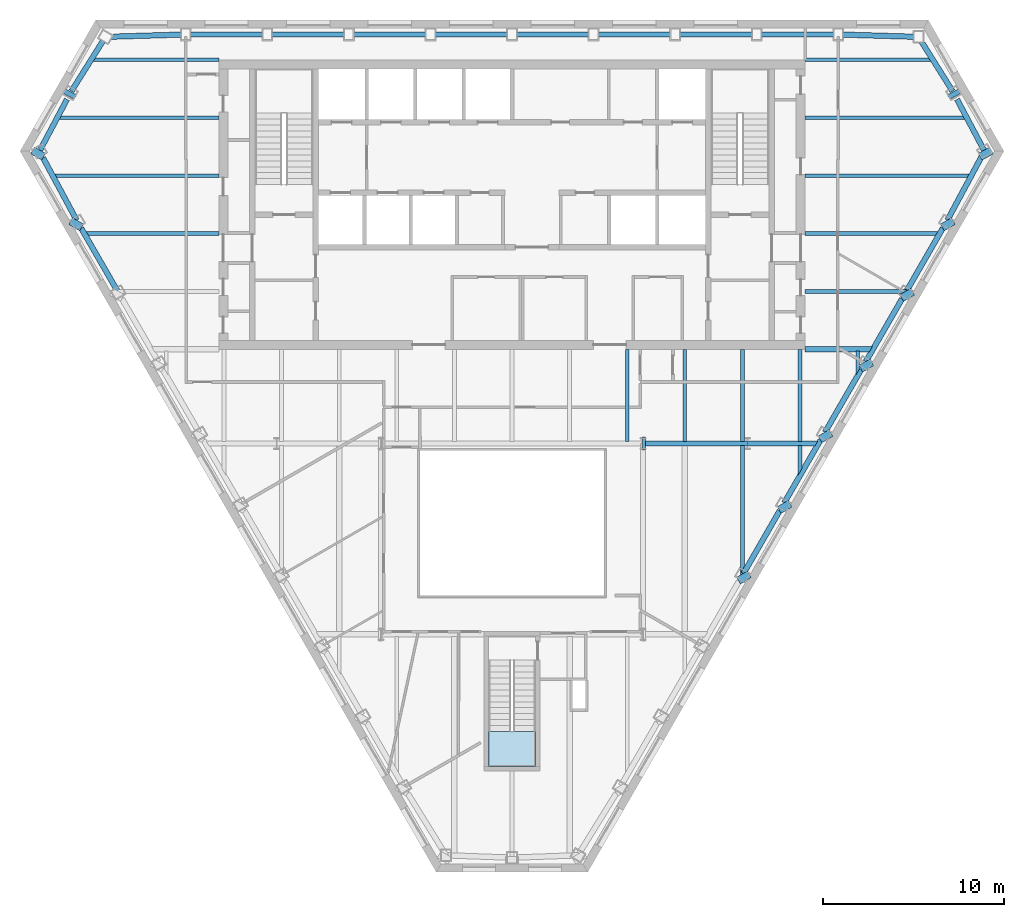
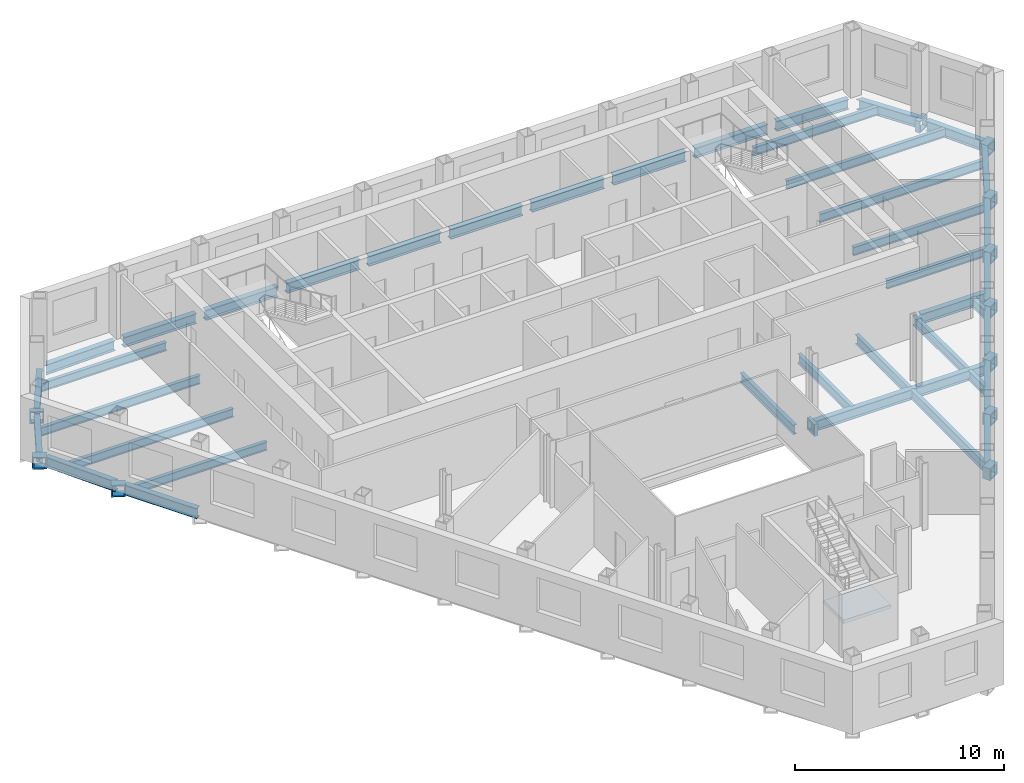
# One storey, part 3 of 11: 53 beams, 1 slab, 1 element without a shape of its own.
"""IFC4 building model written with IfcOpenShell, lengths in metres."""

from ifc_helpers import new_model, si_unit, direction, frame, origin, origin_2d, place, context, subcontext, project, spatial, polyline, hollow_rectangle, i_section, outline, extrude, clip, halfspace, material, layer, layer_set, material_profile, profile_set, type_object, element, aggregate, save


model = new_model("IFC4")

# Units and contexts
model_context = context("Model", 3, precision=1e-05, world=origin(), true_north=direction((0.0, 1.0)))
body_context = subcontext(model_context, "Body", "Model", "MODEL_VIEW")
ifc_project = project(units=[si_unit("LENGTHUNIT", "METRE"), si_unit("AREAUNIT", "SQUARE_METRE"), si_unit("VOLUMEUNIT", "CUBIC_METRE"), si_unit("PLANEANGLEUNIT", "RADIAN"), si_unit("MASSUNIT", "GRAM", prefix="KILO")], contexts=[model_context])

# Site, building, storey
site_placement = place(None, origin())
site = spatial("IfcSite", under=ifc_project, at=site_placement, CompositionType="ELEMENT")
building_placement = place(site_placement, origin())
building = spatial("IfcBuilding", under=site, at=building_placement, Name="Njiva Tower", CompositionType="ELEMENT")
storey_placement = place(building_placement, frame((0.0, 0.0, 163.2)))
storey = spatial("IfcBuildingStorey", under=building, at=storey_placement, Name="L35", CompositionType="ELEMENT", Elevation=163.2)

# Beams
ifc_material_1 = material(Name="Steel S355 J2", Category="steel")
ifc_material_profile_1 = material_profile(ifc_material_1, hollow_rectangle(XDim=0.7, YDim=0.7, WallThickness=0.08, at=origin_2d()), Name="BOX 700x700x80")
ifc_profile_set_1 = profile_set([ifc_material_profile_1], Name="Steel S355 J2")
beam_type_1 = type_object("IfcBeamType", Name="B19 Column jog beam BOX 700x700x80", PredefinedType="BEAM", material=ifc_profile_set_1)
beam_1_placement = place(storey_placement, frame((-24.5, 15.988, -0.55), z_axis=(0.469065911698, 0.883163161869, 0.0), x_axis=(-0.883163161869, 0.469065911698, 0.0)))
element("IfcBeam", 1, at=beam_1_placement, inside=storey, type_object=beam_type_1, Name="Column jog beam S12-B022", PredefinedType="BEAM", context=body_context, shape_type="SweptSolid", body=[
    extrude(hollow_rectangle(XDim=0.7, YDim=0.7, WallThickness=0.08, at=origin_2d()), origin(), (0.0, 0.0, 1.0), 0.2729),
])
beam_2_placement = place(storey_placement, frame((-26.287, 12.631, -0.55), z_axis=(0.488031691324, 0.872825909482, 0.0), x_axis=(-0.872825909482, 0.488031691324, 0.0)))
element("IfcBeam", 2, at=beam_2_placement, inside=storey, type_object=beam_type_1, Name="Column jog beam S12-B021", PredefinedType="BEAM", context=body_context, shape_type="SweptSolid", body=[
    extrude(hollow_rectangle(XDim=0.7, YDim=0.7, WallThickness=0.08, at=origin_2d()), origin(), (0.0, 0.0, 1.0), 0.4262),
])
beam_3_placement = place(storey_placement, frame((-24.187, 8.728, -0.55), z_axis=(0.489816096979, 0.871825780268, 0.0), x_axis=(-0.871825780268, 0.489816096979, 0.0)))
element("IfcBeam", 3, at=beam_3_placement, inside=storey, type_object=beam_type_1, Name="Column jog beam S12-B023", PredefinedType="BEAM", context=body_context, shape_type="SweptSolid", body=[
    extrude(hollow_rectangle(XDim=0.7, YDim=0.7, WallThickness=0.08, at=origin_2d()), origin(), (0.0, 0.0, 1.0), 0.4267),
])
beam_4_placement = place(storey_placement, frame((12.921, -10.786, -0.55), z_axis=(-0.501964949025, 0.864887963814, 0.0), x_axis=(-0.864887963814, -0.501964949025, 0.0)))
element("IfcBeam", 4, at=beam_4_placement, inside=storey, type_object=beam_type_1, Name="Column jog beam S12-B042", PredefinedType="BEAM", context=body_context, shape_type="SweptSolid", body=[
    extrude(hollow_rectangle(XDim=0.7, YDim=0.7, WallThickness=0.08, at=origin_2d()), origin(), (0.0, 0.0, 1.0), 0.4243),
])
beam_5_placement = place(storey_placement, frame((15.175, -6.883, -0.55), z_axis=(-0.500943559977, 0.865479953388, 0.0), x_axis=(-0.865479953388, -0.500943559977, 0.0)))
element("IfcBeam", 5, at=beam_5_placement, inside=storey, type_object=beam_type_1, Name="Column jog beam S12-B043", PredefinedType="BEAM", context=body_context, shape_type="SweptSolid", body=[
    extrude(hollow_rectangle(XDim=0.7, YDim=0.7, WallThickness=0.08, at=origin_2d()), origin(), (0.0, 0.0, 1.0), 0.4252),
])
beam_6_placement = place(storey_placement, frame((17.428, -2.981, -0.55), z_axis=(-0.498162050838, 0.867083946977, 0.0), x_axis=(-0.867083946977, -0.498162050838, 0.0)))
element("IfcBeam", 6, at=beam_6_placement, inside=storey, type_object=beam_type_1, Name="Column jog beam S12-B044", PredefinedType="BEAM", context=body_context, shape_type="SweptSolid", body=[
    extrude(hollow_rectangle(XDim=0.7, YDim=0.7, WallThickness=0.08, at=origin_2d()), origin(), (0.0, 0.0, 1.0), 0.4256),
])
beam_7_placement = place(storey_placement, frame((19.681, 0.922, -0.55), z_axis=(-0.495380237546, 0.868676245933, 0.0), x_axis=(-0.868676245933, -0.495380237546, 0.0)))
element("IfcBeam", 7, at=beam_7_placement, inside=storey, type_object=beam_type_1, Name="Column jog beam S12-B045", PredefinedType="BEAM", context=body_context, shape_type="SweptSolid", body=[
    extrude(hollow_rectangle(XDim=0.7, YDim=0.7, WallThickness=0.08, at=origin_2d()), origin(), (0.0, 0.0, 1.0), 0.4259),
])
beam_8_placement = place(storey_placement, frame((21.935, 4.825, -0.55), z_axis=(-0.49437165503, 0.869250635147, 0.0), x_axis=(-0.869250635147, -0.49437165503, 0.0)))
element("IfcBeam", 8, at=beam_8_placement, inside=storey, type_object=beam_type_1, Name="Column jog beam S12-B046", PredefinedType="BEAM", context=body_context, shape_type="SweptSolid", body=[
    extrude(hollow_rectangle(XDim=0.7, YDim=0.7, WallThickness=0.08, at=origin_2d()), origin(), (0.0, 0.0, 1.0), 0.4268),
])
beam_9_placement = place(storey_placement, frame((24.187, 8.728, -0.55), z_axis=(-0.489816096979, 0.871825780268, 0.0), x_axis=(-0.871825780268, -0.489816096979, 0.0)))
element("IfcBeam", 9, at=beam_9_placement, inside=storey, type_object=beam_type_1, Name="Column jog beam S12-B047", PredefinedType="BEAM", context=body_context, shape_type="SweptSolid", body=[
    extrude(hollow_rectangle(XDim=0.7, YDim=0.7, WallThickness=0.08, at=origin_2d()), origin(), (0.0, 0.0, 1.0), 0.4267),
])
beam_10_placement = place(storey_placement, frame((26.287, 12.631, -0.55), z_axis=(-0.488031691324, 0.872825909482, 0.0), x_axis=(-0.872825909482, -0.488031691324, 0.0)))
element("IfcBeam", 10, at=beam_10_placement, inside=storey, type_object=beam_type_1, Name="Column jog beam S12-B049", PredefinedType="BEAM", context=body_context, shape_type="SweptSolid", body=[
    extrude(hollow_rectangle(XDim=0.7, YDim=0.7, WallThickness=0.08, at=origin_2d()), origin(), (0.0, 0.0, 1.0), 0.4262),
])
beam_11_placement = place(storey_placement, frame((24.5, 15.988, -0.55), z_axis=(-0.469065911698, 0.883163161869, 0.0), x_axis=(-0.883163161869, -0.469065911698, 0.0)))
element("IfcBeam", 11, at=beam_11_placement, inside=storey, type_object=beam_type_1, Name="Column jog beam S12-B048", PredefinedType="BEAM", context=body_context, shape_type="SweptSolid", body=[
    extrude(hollow_rectangle(XDim=0.7, YDim=0.7, WallThickness=0.08, at=origin_2d()), origin(), (0.0, 0.0, 1.0), 0.2729),
])
beam_12_placement = place(storey_placement, frame((7.38, -3.2, -0.55), z_axis=(-1.0, 0.0, 0.0), x_axis=(0.0, -1.0, 0.0)))
element("IfcBeam", 12, at=beam_12_placement, inside=storey, type_object=beam_type_1, Name="Column jog beam S12-B039", PredefinedType="BEAM", context=body_context, shape_type="SweptSolid", body=[
    extrude(hollow_rectangle(XDim=0.7, YDim=0.7, WallThickness=0.08, at=origin_2d()), origin(), (0.0, 0.0, 1.0), 0.2),
])
ifc_material_profile_2 = material_profile(ifc_material_1, i_section(OverallWidth=0.2, OverallDepth=0.5, WebThickness=0.0102, FlangeThickness=0.016, at=origin_2d()), Name="IPE 500")
ifc_profile_set_2 = profile_set([ifc_material_profile_2], Name="Steel S355 J2")
beam_type_2 = type_object("IfcBeamType", Name="B24 Floor beam to the core IPE 500", PredefinedType="BEAM", material=ifc_profile_set_2)
beam_13_placement = place(storey_placement, frame((16.2, 5.2, -0.45), z_axis=(1.0, 0.0, 0.0), x_axis=(0.0, 1.0, 0.0)))
element("IfcBeam", 13, at=beam_13_placement, inside=storey, type_object=beam_type_2, Name="Floor beam to the core S12-B008", PredefinedType="BEAM", context=body_context, shape_type="Clipping", body=[
    clip(extrude(i_section(OverallWidth=0.2, OverallDepth=0.5, WebThickness=0.0102, FlangeThickness=0.016, at=origin_2d()), origin(), (0.0, 0.0, 1.0), 5.623), halfspace(frame((-0.025, 0.0, 5.5306), z_axis=(-0.499998009787, 0.0, 0.866026552831), x_axis=(0.0, 1.0, 0.0)), False)),
])
beam_14_placement = place(storey_placement, frame((-23.596, 8.4, -0.45), z_axis=(1.0, 0.0, 0.0), x_axis=(0.0, 1.0, 0.0)))
element("IfcBeam", 14, at=beam_14_placement, inside=storey, type_object=beam_type_2, Name="Floor beam to the core S12-B003", PredefinedType="BEAM", context=body_context, shape_type="Clipping", body=[
    clip(extrude(i_section(OverallWidth=0.2, OverallDepth=0.5, WebThickness=0.0102, FlangeThickness=0.016, at=origin_2d()), origin(), (0.0, 0.0, 1.0), 7.396), halfspace(frame((-0.025, 0.0, 0.0924), z_axis=(-0.499998009787, 0.0, -0.866026552831), x_axis=(0.0, -1.0, 0.0)), False)),
])
beam_15_placement = place(storey_placement, frame((16.2, 8.4, -0.45), z_axis=(1.0, 0.0, 0.0), x_axis=(0.0, 1.0, 0.0)))
element("IfcBeam", 15, at=beam_15_placement, inside=storey, type_object=beam_type_2, Name="Floor beam to the core S12-B009", PredefinedType="BEAM", context=body_context, shape_type="Clipping", body=[
    clip(extrude(i_section(OverallWidth=0.2, OverallDepth=0.5, WebThickness=0.0102, FlangeThickness=0.016, at=origin_2d()), origin(), (0.0, 0.0, 1.0), 7.396), halfspace(frame((-0.025, 0.0, 7.3036), z_axis=(-0.499998009787, 0.0, 0.866026552831), x_axis=(0.0, 1.0, 0.0)), False)),
])
beam_16_placement = place(storey_placement, frame((-25.341, 11.6, -0.45), z_axis=(1.0, 0.0, 0.0), x_axis=(0.0, 1.0, 0.0)))
element("IfcBeam", 16, at=beam_16_placement, inside=storey, type_object=beam_type_2, Name="Floor beam to the core S12-B001", PredefinedType="BEAM", context=body_context, shape_type="Clipping", body=[
    clip(extrude(i_section(OverallWidth=0.2, OverallDepth=0.5, WebThickness=0.0102, FlangeThickness=0.016, at=origin_2d()), origin(), (0.0, 0.0, 1.0), 9.141), halfspace(frame((-0.0237, 0.0, 0.0868), z_axis=(-0.473769423091, 0.0, -0.880648927634), x_axis=(0.0, -1.0, 0.0)), False)),
])
beam_17_placement = place(storey_placement, frame((16.2, 11.6, -0.45), z_axis=(1.0, 0.0, 0.0), x_axis=(0.0, 1.0, 0.0)))
element("IfcBeam", 17, at=beam_17_placement, inside=storey, type_object=beam_type_2, Name="Floor beam to the core S12-B010", PredefinedType="BEAM", context=body_context, shape_type="Clipping", body=[
    clip(extrude(i_section(OverallWidth=0.2, OverallDepth=0.5, WebThickness=0.0102, FlangeThickness=0.016, at=origin_2d()), origin(), (0.0, 0.0, 1.0), 9.141), halfspace(frame((-0.0237, 0.0, 9.0542), z_axis=(-0.473769423091, 0.0, 0.880648927634), x_axis=(0.0, 1.0, 0.0)), False)),
])
beam_18_placement = place(storey_placement, frame((-25.088, 14.8, -0.45), z_axis=(1.0, 0.0, 0.0), x_axis=(0.0, 1.0, 0.0)))
element("IfcBeam", 18, at=beam_18_placement, inside=storey, type_object=beam_type_2, Name="Floor beam to the core S12-B002", PredefinedType="BEAM", context=body_context, shape_type="Clipping", body=[
    clip(extrude(i_section(OverallWidth=0.2, OverallDepth=0.5, WebThickness=0.0102, FlangeThickness=0.016, at=origin_2d()), origin(), (0.0, 0.0, 1.0), 8.888), halfspace(frame((0.0234, 0.0, 0.0852), z_axis=(0.468070575493, 0.0, -0.883691086499), x_axis=(0.0, -1.0, 0.0)), False)),
])
beam_19_placement = place(storey_placement, frame((16.2, 14.8, -0.45), z_axis=(1.0, 0.0, 0.0), x_axis=(0.0, 1.0, 0.0)))
element("IfcBeam", 19, at=beam_19_placement, inside=storey, type_object=beam_type_2, Name="Floor beam to the core S12-B011", PredefinedType="BEAM", context=body_context, shape_type="Clipping", body=[
    clip(extrude(i_section(OverallWidth=0.2, OverallDepth=0.5, WebThickness=0.0102, FlangeThickness=0.016, at=origin_2d()), origin(), (0.0, 0.0, 1.0), 8.888), halfspace(frame((0.0234, 0.0, 8.8028), z_axis=(0.468070575493, 0.0, 0.883691086499), x_axis=(0.0, 1.0, 0.0)), False)),
])
beam_20_placement = place(storey_placement, frame((-23.221, 18.0, -0.45), z_axis=(1.0, 0.0, 0.0), x_axis=(0.0, 1.0, 0.0)))
element("IfcBeam", 20, at=beam_20_placement, inside=storey, type_object=beam_type_2, Name="Floor beam to the core S12-B004", PredefinedType="BEAM", context=body_context, shape_type="Clipping", body=[
    clip(extrude(i_section(OverallWidth=0.2, OverallDepth=0.5, WebThickness=0.0102, FlangeThickness=0.016, at=origin_2d()), origin(), (0.0, 0.0, 1.0), 7.021), halfspace(frame((0.0266, 0.0, 0.1), z_axis=(0.531259476258, 0.0, -0.847209164779), x_axis=(0.0, -1.0, 0.0)), False)),
])
beam_21_placement = place(storey_placement, frame((16.2, 18.0, -0.45), z_axis=(1.0, 0.0, 0.0), x_axis=(0.0, 1.0, 0.0)))
element("IfcBeam", 21, at=beam_21_placement, inside=storey, type_object=beam_type_2, Name="Floor beam to the core S12-B012", PredefinedType="BEAM", context=body_context, shape_type="Clipping", body=[
    clip(extrude(i_section(OverallWidth=0.2, OverallDepth=0.5, WebThickness=0.0102, FlangeThickness=0.016, at=origin_2d()), origin(), (0.0, 0.0, 1.0), 7.021), halfspace(frame((0.0266, 0.0, 6.921), z_axis=(0.531259476258, 0.0, 0.847209164779), x_axis=(0.0, 1.0, 0.0)), False)),
])
ifc_material_profile_3 = material_profile(ifc_material_1, i_section(OverallWidth=0.3, OverallDepth=0.59, WebThickness=0.013, FlangeThickness=0.025, at=origin_2d()), Name="HEA 600")
ifc_profile_set_3 = profile_set([ifc_material_profile_3], Name="Steel S355 J2")
beam_type_3 = type_object("IfcBeamType", Name="B27 Short-span spandrel beam HEA 600", PredefinedType="SPANDREL", material=ifc_profile_set_3)
beam_22_placement = place(storey_placement, frame((22.202, 19.275, -0.495), z_axis=(-0.999547702573, 0.030073082331, 0.0), x_axis=(-0.030073082331, -0.999547702573, 0.0)))
element("IfcBeam", 22, at=beam_22_placement, inside=storey, type_object=beam_type_3, Name="Short-span spandrel beam S12-B139", PredefinedType="SPANDREL", context=body_context, shape_type="SweptSolid", body=[
    extrude(i_section(OverallWidth=0.3, OverallDepth=0.59, WebThickness=0.013, FlangeThickness=0.025, at=origin_2d()), origin(), (0.0, 0.0, 1.0), 3.9238),
])
beam_23_placement = place(storey_placement, frame((17.776, 19.4, -0.495), z_axis=(-1.0, 0.0, 0.0), x_axis=(0.0, -1.0, 0.0)))
element("IfcBeam", 23, at=beam_23_placement, inside=storey, type_object=beam_type_3, Name="Short-span spandrel beam S12-B134", PredefinedType="SPANDREL", context=body_context, shape_type="SweptSolid", body=[
    extrude(i_section(OverallWidth=0.3, OverallDepth=0.59, WebThickness=0.013, FlangeThickness=0.025, at=origin_2d()), origin(), (0.0, 0.0, 1.0), 4.006),
])
beam_24_placement = place(storey_placement, frame((13.27, 19.4, -0.495), z_axis=(-1.0, 0.0, 0.0), x_axis=(0.0, -1.0, 0.0)))
element("IfcBeam", 24, at=beam_24_placement, inside=storey, type_object=beam_type_3, Name="Short-span spandrel beam S12-B129", PredefinedType="SPANDREL", context=body_context, shape_type="SweptSolid", body=[
    extrude(i_section(OverallWidth=0.3, OverallDepth=0.59, WebThickness=0.013, FlangeThickness=0.025, at=origin_2d()), origin(), (0.0, 0.0, 1.0), 4.007),
])
beam_25_placement = place(storey_placement, frame((8.763, 19.4, -0.495), z_axis=(-1.0, 0.0, 0.0), x_axis=(0.0, -1.0, 0.0)))
element("IfcBeam", 25, at=beam_25_placement, inside=storey, type_object=beam_type_3, Name="Short-span spandrel beam S12-B123", PredefinedType="SPANDREL", context=body_context, shape_type="SweptSolid", body=[
    extrude(i_section(OverallWidth=0.3, OverallDepth=0.59, WebThickness=0.013, FlangeThickness=0.025, at=origin_2d()), origin(), (0.0, 0.0, 1.0), 4.006),
])
for number, where, z_axis, x_axis, name in (
    (26, (4.257, 19.4, -0.495), (-1.0, 0.0, 0.0), (0.0, -1.0, 0.0), "Short-span spandrel beam S12-B120"),
    (27, (-0.25, 19.4, -0.495), (-1.0, 0.0, 0.0), (0.0, -1.0, 0.0), "Short-span spandrel beam S12-B115"),
):
    element("IfcBeam", number, at=place(storey_placement, frame(where, z_axis=z_axis, x_axis=x_axis)), inside=storey, type_object=beam_type_3, Name=name, PredefinedType="SPANDREL", context=body_context, shape_type="SweptSolid", body=[
        extrude(i_section(OverallWidth=0.3, OverallDepth=0.59, WebThickness=0.013, FlangeThickness=0.025, at=origin_2d()), origin(), (0.0, 0.0, 1.0), 4.007),
    ])
beam_26_placement = place(storey_placement, frame((-4.757, 19.4, -0.495), z_axis=(-1.0, 0.0, 0.0), x_axis=(0.0, -1.0, 0.0)))
element("IfcBeam", 28, at=beam_26_placement, inside=storey, type_object=beam_type_3, Name="Short-span spandrel beam S12-B110", PredefinedType="SPANDREL", context=body_context, shape_type="SweptSolid", body=[
    extrude(i_section(OverallWidth=0.3, OverallDepth=0.59, WebThickness=0.013, FlangeThickness=0.025, at=origin_2d()), origin(), (0.0, 0.0, 1.0), 4.006),
])
beam_27_placement = place(storey_placement, frame((-9.263, 19.4, -0.495), z_axis=(-1.0, 0.0, 0.0), x_axis=(0.0, -1.0, 0.0)))
element("IfcBeam", 29, at=beam_27_placement, inside=storey, type_object=beam_type_3, Name="Short-span spandrel beam S12-B104", PredefinedType="SPANDREL", context=body_context, shape_type="SweptSolid", body=[
    extrude(i_section(OverallWidth=0.3, OverallDepth=0.59, WebThickness=0.013, FlangeThickness=0.025, at=origin_2d()), origin(), (0.0, 0.0, 1.0), 4.007),
])
beam_28_placement = place(storey_placement, frame((-13.77, 19.4, -0.495), z_axis=(-1.0, 0.0, 0.0), x_axis=(0.0, -1.0, 0.0)))
element("IfcBeam", 30, at=beam_28_placement, inside=storey, type_object=beam_type_3, Name="Short-span spandrel beam S12-B099", PredefinedType="SPANDREL", context=body_context, shape_type="SweptSolid", body=[
    extrude(i_section(OverallWidth=0.3, OverallDepth=0.59, WebThickness=0.013, FlangeThickness=0.025, at=origin_2d()), origin(), (0.0, 0.0, 1.0), 4.006),
])
beam_29_placement = place(storey_placement, frame((-18.28, 19.393, -0.495), z_axis=(-0.999547870884, -0.030067487615, 0.0), x_axis=(0.030067487615, -0.999547870884, 0.0)))
element("IfcBeam", 31, at=beam_29_placement, inside=storey, type_object=beam_type_3, Name="Short-span spandrel beam S12-B094", PredefinedType="SPANDREL", context=body_context, shape_type="Clipping", body=[
    clip(extrude(i_section(OverallWidth=0.3, OverallDepth=0.59, WebThickness=0.013, FlangeThickness=0.025, at=origin_2d()), origin(), (0.0, 0.0, 1.0), 3.9377), halfspace(frame((-0.0259, 0.0, 3.8089), z_axis=(-0.52581118878, 0.0, 0.850601313045), x_axis=(0.0, 1.0, 0.0)), False)),
])
beam_30_placement = place(storey_placement, frame((-22.595, 19.053, -0.495), z_axis=(-0.531444099627, -0.847093364968, 0.0), x_axis=(0.847093364968, -0.531444099627, 0.0)))
element("IfcBeam", 32, at=beam_30_placement, inside=storey, type_object=beam_type_3, Name="Short-span spandrel beam S12-B089", PredefinedType="SPANDREL", context=body_context, shape_type="SweptSolid", body=[
    extrude(i_section(OverallWidth=0.3, OverallDepth=0.59, WebThickness=0.013, FlangeThickness=0.025, at=origin_2d()), origin(), (0.0, 0.0, 1.0), 3.2948),
])
beam_31_placement = place(storey_placement, frame((-24.591, 15.815, -0.495), z_axis=(-0.467973896565, -0.883742288302, 0.0), x_axis=(0.883742288302, -0.467973896565, 0.0)))
element("IfcBeam", 33, at=beam_31_placement, inside=storey, type_object=beam_type_3, Name="Short-span spandrel beam S12-B085", PredefinedType="SPANDREL", context=body_context, shape_type="Clipping", body=[
    clip(extrude(i_section(OverallWidth=0.3, OverallDepth=0.59, WebThickness=0.013, FlangeThickness=0.025, at=origin_2d()), origin(), (0.0, 0.0, 1.0), 3.3129), halfspace(frame((-0.0267, 0.0, 3.1818), z_axis=(-0.531358270615, 0.0, 0.847147205773), x_axis=(0.0, 1.0, 0.0)), False)),
])
beam_32_placement = place(storey_placement, frame((-25.913, 12.589, -0.495), z_axis=(0.473811173315, -0.880626465672, 0.0), x_axis=(0.880626465672, 0.473811173315, 0.0)))
element("IfcBeam", 34, at=beam_32_placement, inside=storey, type_object=beam_type_3, Name="Short-span spandrel beam S12-B088", PredefinedType="SPANDREL", context=body_context, shape_type="SweptSolid", body=[
    extrude(i_section(OverallWidth=0.3, OverallDepth=0.59, WebThickness=0.013, FlangeThickness=0.025, at=origin_2d()), origin(), (0.0, 0.0, 1.0), 3.9256),
])
beam_33_placement = place(storey_placement, frame((-23.804, 8.696, -0.495), z_axis=(0.499924104568, -0.866069217599, 0.0), x_axis=(0.866069217599, 0.499924104568, 0.0)))
element("IfcBeam", 35, at=beam_33_placement, inside=storey, type_object=beam_type_3, Name="Short-span spandrel beam S12-B092", PredefinedType="SPANDREL", context=body_context, shape_type="SweptSolid", body=[
    extrude(i_section(OverallWidth=0.3, OverallDepth=0.59, WebThickness=0.013, FlangeThickness=0.025, at=origin_2d()), origin(), (0.0, 0.0, 1.0), 4.0066),
])
beam_34_placement = place(storey_placement, frame((12.788, -10.386, -0.495), z_axis=(0.499816060339, 0.866131575355, 0.0), x_axis=(-0.866131575355, 0.499816060339, 0.0)))
element("IfcBeam", 36, at=beam_34_placement, inside=storey, type_object=beam_type_3, Name="Short-span spandrel beam S12-B132", PredefinedType="SPANDREL", context=body_context, shape_type="SweptSolid", body=[
    extrude(i_section(OverallWidth=0.3, OverallDepth=0.59, WebThickness=0.013, FlangeThickness=0.025, at=origin_2d()), origin(), (0.0, 0.0, 1.0), 4.0075),
])
beam_35_placement = place(storey_placement, frame((15.041, -6.482, -0.495), z_axis=(0.500032187732, 0.866006819391, 0.0), x_axis=(-0.866006819391, 0.500032187732, 0.0)))
element("IfcBeam", 37, at=beam_35_placement, inside=storey, type_object=beam_type_3, Name="Short-span spandrel beam S12-B135", PredefinedType="SPANDREL", context=body_context, shape_type="SweptSolid", body=[
    extrude(i_section(OverallWidth=0.3, OverallDepth=0.59, WebThickness=0.013, FlangeThickness=0.025, at=origin_2d()), origin(), (0.0, 0.0, 1.0), 4.0057),
])
beam_36_placement = place(storey_placement, frame((17.294, -2.58, -0.495), z_axis=(0.499924104568, 0.866069217599, 0.0), x_axis=(-0.866069217599, 0.499924104568, 0.0)))
element("IfcBeam", 38, at=beam_36_placement, inside=storey, type_object=beam_type_3, Name="Short-span spandrel beam S12-B137", PredefinedType="SPANDREL", context=body_context, shape_type="SweptSolid", body=[
    extrude(i_section(OverallWidth=0.3, OverallDepth=0.59, WebThickness=0.013, FlangeThickness=0.025, at=origin_2d()), origin(), (0.0, 0.0, 1.0), 4.0066),
])
beam_37_placement = place(storey_placement, frame((19.547, 1.322, -0.495), z_axis=(0.500003221507, 0.866023543838, 0.0), x_axis=(-0.866023543838, 0.500003221507, 0.0)))
element("IfcBeam", 39, at=beam_37_placement, inside=storey, type_object=beam_type_3, Name="Short-span spandrel beam S12-B141", PredefinedType="SPANDREL", context=body_context, shape_type="SweptSolid", body=[
    extrude(i_section(OverallWidth=0.3, OverallDepth=0.59, WebThickness=0.013, FlangeThickness=0.025, at=origin_2d()), origin(), (0.0, 0.0, 1.0), 4.008),
])
beam_38_placement = place(storey_placement, frame((21.801, 5.226, -0.495), z_axis=(0.499924104568, 0.866069217599, 0.0), x_axis=(-0.866069217599, 0.499924104568, 0.0)))
element("IfcBeam", 40, at=beam_38_placement, inside=storey, type_object=beam_type_3, Name="Short-span spandrel beam S12-B143", PredefinedType="SPANDREL", context=body_context, shape_type="SweptSolid", body=[
    extrude(i_section(OverallWidth=0.3, OverallDepth=0.59, WebThickness=0.013, FlangeThickness=0.025, at=origin_2d()), origin(), (0.0, 0.0, 1.0), 4.0066),
])
beam_39_placement = place(storey_placement, frame((24.053, 9.132, -0.495), z_axis=(0.473650235555, 0.880713037464, 0.0), x_axis=(-0.880713037464, 0.473650235555, 0.0)))
element("IfcBeam", 41, at=beam_39_placement, inside=storey, type_object=beam_type_3, Name="Short-span spandrel beam S12-B147", PredefinedType="SPANDREL", context=body_context, shape_type="Clipping", body=[
    clip(extrude(i_section(OverallWidth=0.3, OverallDepth=0.59, WebThickness=0.013, FlangeThickness=0.025, at=origin_2d()), origin(), (0.0, 0.0, 1.0), 4.0927), halfspace(frame((-0.0266, 0.0, 3.9634), z_axis=(-0.525896700756, 0.0, 0.850548446671), x_axis=(0.0, 1.0, 0.0)), False)),
])
beam_40_placement = place(storey_placement, frame((26.108, 12.951, -0.495), z_axis=(-0.468072006979, 0.883690328272, 0.0), x_axis=(-0.883690328272, -0.468072006979, 0.0)))
element("IfcBeam", 42, at=beam_40_placement, inside=storey, type_object=beam_type_3, Name="Short-span spandrel beam S12-B150", PredefinedType="SPANDREL", context=body_context, shape_type="SweptSolid", body=[
    extrude(i_section(OverallWidth=0.3, OverallDepth=0.59, WebThickness=0.013, FlangeThickness=0.025, at=origin_2d()), origin(), (0.0, 0.0, 1.0), 3.241),
])
beam_41_placement = place(storey_placement, frame((24.346, 16.262, -0.495), z_axis=(-0.531433793828, 0.847099830468, 0.0), x_axis=(-0.847099830468, -0.531433793828, 0.0)))
element("IfcBeam", 43, at=beam_41_placement, inside=storey, type_object=beam_type_3, Name="Short-span spandrel beam S12-B146", PredefinedType="SPANDREL", context=body_context, shape_type="Clipping", body=[
    clip(extrude(i_section(OverallWidth=0.3, OverallDepth=0.59, WebThickness=0.013, FlangeThickness=0.025, at=origin_2d()), origin(), (0.0, 0.0, 1.0), 3.3072), halfspace(frame((-0.0269, 0.0, 3.1764), z_axis=(-0.531433793828, 0.0, 0.847099830468), x_axis=(0.0, 1.0, 0.0)), False)),
])
ifc_material_profile_4 = material_profile(ifc_material_1, i_section(OverallWidth=0.3, OverallDepth=0.59, WebThickness=0.013, FlangeThickness=0.025, at=origin_2d()), Name="HEA 600")
ifc_profile_set_4 = profile_set([ifc_material_profile_4], Name="Steel S355 J2")
beam_type_4 = type_object("IfcBeamType", Name="B28 Floor girder HEA 600", PredefinedType="BEAM", material=ifc_profile_set_4)
beam_42_placement = place(storey_placement, frame((7.24, -3.2, -0.495), z_axis=(1.0, 0.0, 0.0), x_axis=(0.0, 1.0, 0.0)))
element("IfcBeam", 44, at=beam_42_placement, inside=storey, type_object=beam_type_4, Name="Floor girder S12-B018", PredefinedType="BEAM", context=body_context, shape_type="SweptSolid", body=[
    extrude(i_section(OverallWidth=0.3, OverallDepth=0.59, WebThickness=0.013, FlangeThickness=0.025, at=origin_2d()), origin(), (0.0, 0.0, 1.0), 5.76),
])
ifc_material_profile_5 = material_profile(ifc_material_1, i_section(OverallWidth=0.3, OverallDepth=0.59, WebThickness=0.013, FlangeThickness=0.025, at=origin_2d()), Name="HEA 600")
ifc_profile_set_5 = profile_set([ifc_material_profile_5], Name="Steel S355 J2")
beam_type_5 = type_object("IfcBeamType", Name="B29 Short-span floor girder HEA 600", PredefinedType="BEAM", material=ifc_profile_set_5)
beam_43_placement = place(storey_placement, frame((13.0, -3.2, -0.495), z_axis=(1.0, 0.0, 0.0), x_axis=(0.0, 1.0, 0.0)))
element("IfcBeam", 45, at=beam_43_placement, inside=storey, type_object=beam_type_5, Name="Short-span floor girder S12-B019", PredefinedType="BEAM", context=body_context, shape_type="Clipping", body=[
    clip(extrude(i_section(OverallWidth=0.3, OverallDepth=0.59, WebThickness=0.013, FlangeThickness=0.025, at=origin_2d()), origin(), (0.0, 0.0, 1.0), 3.928), halfspace(frame((-0.025, 0.0, 3.8063), z_axis=(-0.499998009787, 0.0, 0.866026552831), x_axis=(0.0, 1.0, 0.0)), False)),
])
beam_44_placement = place(storey_placement, frame((16.2, 2.0, -0.495), z_axis=(1.0, 0.0, 0.0), x_axis=(0.0, 1.0, 0.0)))
element("IfcBeam", 46, at=beam_44_placement, inside=storey, type_object=beam_type_5, Name="Short-span floor girder S12-B020", PredefinedType="BEAM", context=body_context, shape_type="Clipping", body=[
    clip(extrude(i_section(OverallWidth=0.3, OverallDepth=0.59, WebThickness=0.013, FlangeThickness=0.025, at=origin_2d()), origin(), (0.0, 0.0, 1.0), 3.73), halfspace(frame((-0.025, 0.0, 3.6086), z_axis=(-0.499998009787, 0.0, 0.866026552831), x_axis=(0.0, 1.0, 0.0)), False)),
])
ifc_material_profile_6 = material_profile(ifc_material_1, i_section(OverallWidth=0.21, OverallDepth=0.55, WebThickness=0.0111, FlangeThickness=0.0172, at=origin_2d()), Name="IPE 550")
ifc_profile_set_6 = profile_set([ifc_material_profile_6], Name="Steel S355 J2")
beam_type_6 = type_object("IfcBeamType", Name="B31 Short-span floor joist IPE 550", PredefinedType="JOIST", material=ifc_profile_set_6)
beam_45_placement = place(storey_placement, frame((15.917, -3.3, -0.475), z_axis=(0.0, -1.0, 0.0), x_axis=(1.0, 0.0, 0.0)))
element("IfcBeam", 47, at=beam_45_placement, inside=storey, type_object=beam_type_6, Name="Short-span floor joist S12-B076", PredefinedType="JOIST", context=body_context, shape_type="Clipping", body=[
    clip(extrude(i_section(OverallWidth=0.21, OverallDepth=0.55, WebThickness=0.0111, FlangeThickness=0.0172, at=origin_2d()), origin(), (0.0, 0.0, 1.0), 1.668), halfspace(frame((0.043, 0.0, 1.391), z_axis=(0.866026552831, 0.0, 0.499998009787), x_axis=(0.0, 1.0, 0.0)), False)),
])
beam_46_placement = place(storey_placement, frame((19.1, 1.9, -0.475), z_axis=(0.0, -1.0, 0.0), x_axis=(1.0, 0.0, 0.0)))
element("IfcBeam", 48, at=beam_46_placement, inside=storey, type_object=beam_type_6, Name="Short-span floor joist S12-B078", PredefinedType="JOIST", context=body_context, shape_type="Clipping", body=[
    clip(extrude(i_section(OverallWidth=0.21, OverallDepth=0.55, WebThickness=0.0111, FlangeThickness=0.0172, at=origin_2d()), origin(), (0.0, 0.0, 1.0), 1.354), halfspace(frame((0.0433, 0.0, 1.0773), z_axis=(0.866026552831, 0.0, 0.499998009787), x_axis=(0.0, 1.0, 0.0)), False)),
])
ifc_material_profile_7 = material_profile(ifc_material_1, i_section(OverallWidth=0.21, OverallDepth=0.55, WebThickness=0.0111, FlangeThickness=0.0172, at=origin_2d()), Name="IPE 550")
ifc_profile_set_7 = profile_set([ifc_material_profile_7], Name="Steel S355 J2")
beam_type_7 = type_object("IfcBeamType", Name="B32 Floor joist IPE 550", PredefinedType="JOIST", material=ifc_profile_set_7)
beam_47_placement = place(storey_placement, frame((6.367, 1.995, -0.475), z_axis=(0.0, -1.0, 0.0), x_axis=(1.0, 0.0, 0.0)))
element("IfcBeam", 49, at=beam_47_placement, inside=storey, type_object=beam_type_7, Name="Floor joist S12-B069", PredefinedType="JOIST", context=body_context, shape_type="SweptSolid", body=[
    extrude(i_section(OverallWidth=0.21, OverallDepth=0.55, WebThickness=0.0111, FlangeThickness=0.0172, at=origin_2d()), origin(), (0.0, 0.0, 1.0), 5.094),
])
for number, where, z_axis, x_axis, name in (
    (50, (9.55, 1.995, -0.475), (0.0, -1.0, 0.0), (1.0, 0.0, 0.0), "Floor joist S12-B072"),
    (51, (12.733, 1.995, -0.475), (0.0, -1.0, 0.0), (1.0, 0.0, 0.0), "Floor joist S12-B075"),
):
    element("IfcBeam", number, at=place(storey_placement, frame(where, z_axis=z_axis, x_axis=x_axis)), inside=storey, type_object=beam_type_7, Name=name, PredefinedType="JOIST", context=body_context, shape_type="SweptSolid", body=[
        extrude(i_section(OverallWidth=0.21, OverallDepth=0.55, WebThickness=0.0111, FlangeThickness=0.0172, at=origin_2d()), origin(), (0.0, 0.0, 1.0), 5.095),
    ])
beam_48_placement = place(storey_placement, frame((12.733, -3.3, -0.475), z_axis=(0.0, -1.0, 0.0), x_axis=(1.0, 0.0, 0.0)))
element("IfcBeam", 52, at=beam_48_placement, inside=storey, type_object=beam_type_7, Name="Floor joist S12-B073", PredefinedType="JOIST", context=body_context, shape_type="Clipping", body=[
    clip(extrude(i_section(OverallWidth=0.21, OverallDepth=0.55, WebThickness=0.0111, FlangeThickness=0.0172, at=origin_2d()), origin(), (0.0, 0.0, 1.0), 7.309), halfspace(frame((0.0436, 0.0, 7.0321), z_axis=(0.866026552831, 0.0, 0.499998009787), x_axis=(0.0, 1.0, 0.0)), False)),
])
beam_49_placement = place(storey_placement, frame((15.917, 1.995, -0.475), z_axis=(0.0, -1.0, 0.0), x_axis=(1.0, 0.0, 0.0)))
element("IfcBeam", 53, at=beam_49_placement, inside=storey, type_object=beam_type_7, Name="Floor joist S12-B077", PredefinedType="JOIST", context=body_context, shape_type="SweptSolid", body=[
    extrude(i_section(OverallWidth=0.21, OverallDepth=0.55, WebThickness=0.0111, FlangeThickness=0.0172, at=origin_2d()), origin(), (0.0, 0.0, 1.0), 5.095),
])

# Stair, slab
ifc_material_2 = material(Name="Concrete C40/50", Category="concrete")
stair_type = type_object("IfcStairType", Name="ST1 Exit stair 1250", PredefinedType="HALF_TURN_STAIR", material=ifc_material_2)
stair_placement = place(storey_placement, origin())
stair = element("IfcStair", 54, at=stair_placement, inside=storey, type_object=stair_type, Name="Stair C", PredefinedType="HALF_TURN_STAIR")
ifc_layer = layer(ifc_material_2, 0.2)
ifc_layer_set = layer_set([ifc_layer], Name="Concrete C40/50")
slab_type = type_object("IfcSlabType", Name="FL9 Stair landing 200", PredefinedType="LANDING", material=ifc_layer_set)
slab_placement = place(storey_placement, frame((0.0, 0.0, 1.75)))
slab = element("IfcSlab", 55, at=slab_placement, type_object=slab_type, Name="ST-C landing 1", PredefinedType="LANDING", context=body_context, shape_type="SweptSolid", body=[
    extrude(outline(polyline([(-1.306, -21.05), (1.306, -21.05), (1.306, -19.12), (-1.306, -19.12), (-1.306, -21.05)])), origin(), (0.0, 0.0, 1.0), 0.2),
])
aggregate(stair, [slab])

save(model, "model.ifc")
